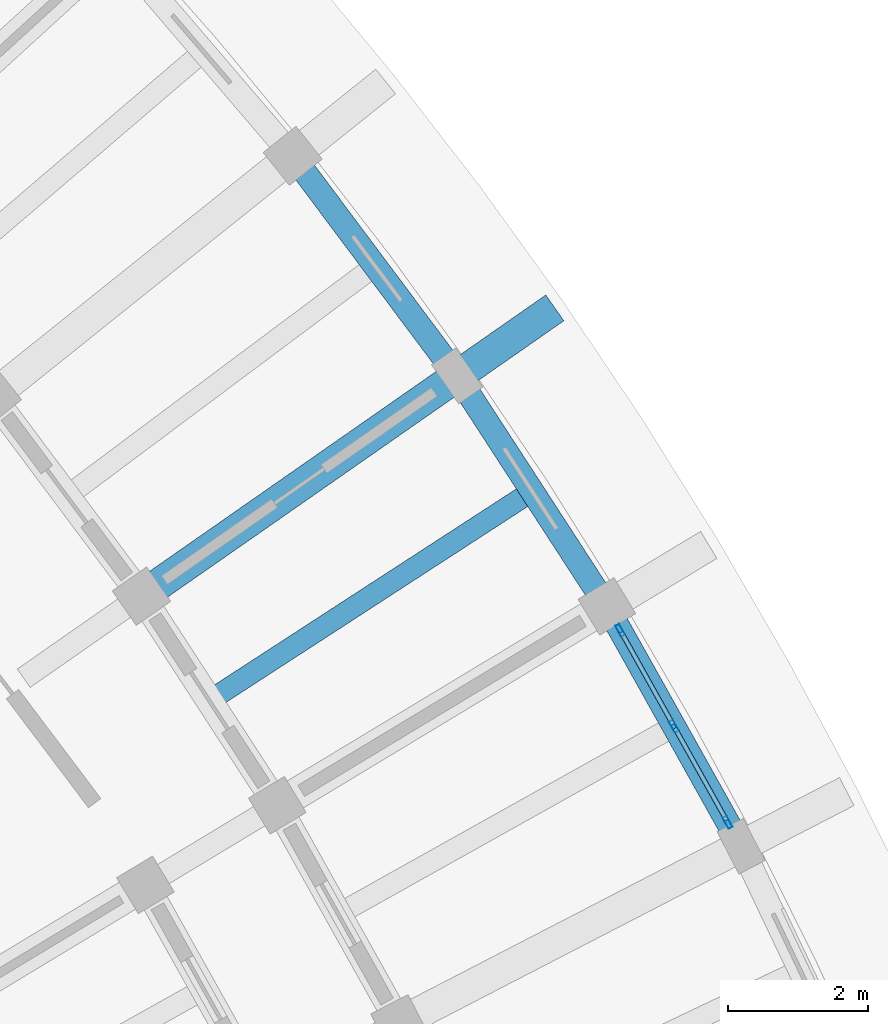
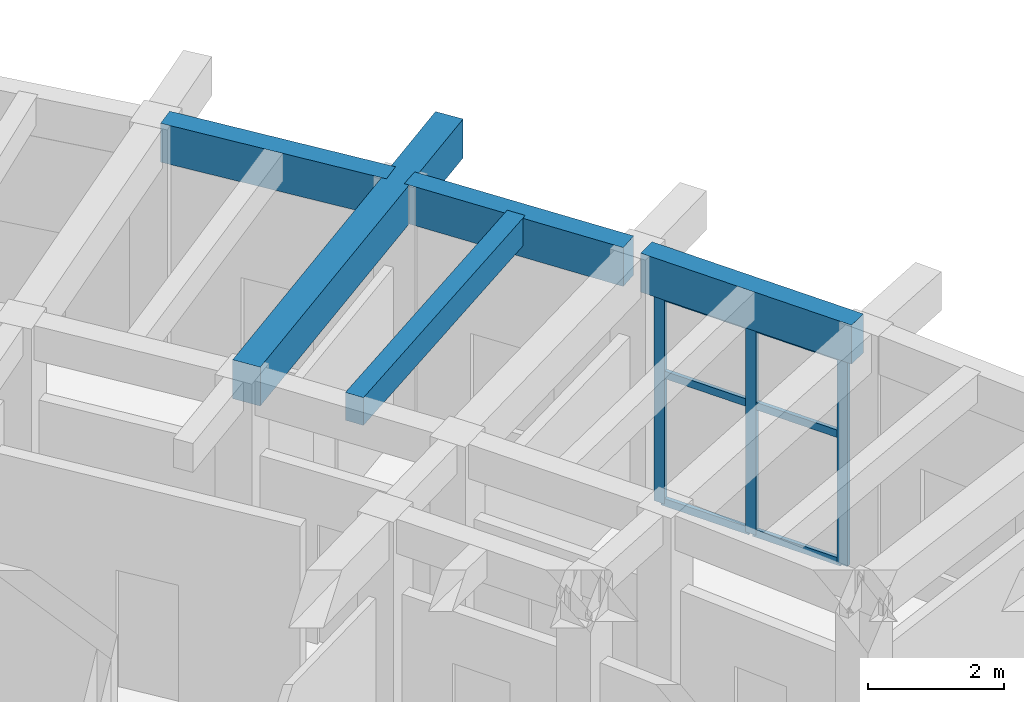
# One storey, part 65 of 132: 9 members, 5 beams, 1 element without a shape of its own.
"""IFC4 building model written with IfcOpenShell, lengths in metres."""

from ifc_helpers import new_model, si_unit, direction, frame, origin, origin_2d, place, context, subcontext, project, spatial, rectangle, hollow_rectangle, extrude, material, material_profile, profile_set, type_object, element, aggregate, save


model = new_model("IFC4")

# Units and contexts
model_context = context("Model", 3, precision=1e-05, world=origin(), true_north=direction((0.0, 1.0)))
body_context = subcontext(model_context, "Body", "Model", "MODEL_VIEW")
ifc_project = project(units=[si_unit("LENGTHUNIT", "METRE"), si_unit("AREAUNIT", "SQUARE_METRE"), si_unit("VOLUMEUNIT", "CUBIC_METRE"), si_unit("PLANEANGLEUNIT", "RADIAN"), si_unit("MASSUNIT", "GRAM", prefix="KILO")], contexts=[model_context])

# Site, building, storey
site_placement = place(None, origin())
site = spatial("IfcSite", under=ifc_project, at=site_placement, CompositionType="ELEMENT")
building_placement = place(site_placement, origin())
building = spatial("IfcBuilding", under=site, at=building_placement, Name="Tanwirah Colonnade Gardens", CompositionType="ELEMENT")
storey_placement = place(building_placement, origin())
storey = spatial("IfcBuildingStorey", under=building, at=storey_placement, Name="L00", CompositionType="ELEMENT", Elevation=0.0)

# Beam
ifc_material_1 = material(Name="Precast concrete C45/55", Category="concrete")
ifc_material_profile_1 = material_profile(ifc_material_1, rectangle(XDim=0.449951171875, YDim=0.699951171875, at=origin_2d()), Name="PC-BM 450x700")
ifc_profile_set_1 = profile_set([ifc_material_profile_1], Name="Precast concrete C45/55")
beam_type_1 = type_object("IfcBeamType", Name="BM-PC450", PredefinedType="BEAM", material=ifc_profile_set_1)
beam_1_placement = place(storey_placement, frame((165.458251953125, 91.20166015625, 4.135009765625), z_axis=(0.820270158139, 0.571976282433, 0.0), x_axis=(-0.571976282433, 0.820270158139, 0.0)))
element("IfcBeam", 1, at=beam_1_placement, inside=storey, type_object=beam_type_1, Name="Block B L00 Outer Radial Precast Girder 5", PredefinedType="BEAM", context=body_context, shape_type="SweptSolid", body=[
    extrude(rectangle(XDim=0.449951171875, YDim=0.699951171875, at=origin_2d()), origin(), (0.0, 0.0, 1.0), 7.050048828125),
])

# Curtain wall, members
ifc_material_2 = material(Name="Bronze-anodised aluminium and solar-control low-E glass", Category="aluminium")
curtain_wall_type = type_object("IfcCurtainWallType", Name="CW-LOB", PredefinedType="NOTDEFINED", material=ifc_material_2)
curtain_wall_placement = place(storey_placement, origin())
curtain_wall = element("IfcCurtainWall", 2, at=curtain_wall_placement, inside=storey, type_object=curtain_wall_type, Name="Curtain Wall CW-B-L00-OUT-03", PredefinedType="NOTDEFINED")
ifc_material_3 = material(Name="Bronze-anodised aluminium", Category="aluminium")
ifc_material_profile_2 = material_profile(ifc_material_3, hollow_rectangle(XDim=0.06494140625, YDim=0.179931640625, WallThickness=0.00390625, at=origin_2d()), Name="CW-MUL 65x180x4")
ifc_profile_set_2 = profile_set([ifc_material_profile_2], Name="Bronze-anodised aluminium")
member_type_1 = type_object("IfcMemberType", Name="CWM-65x180", PredefinedType="MULLION", material=ifc_profile_set_2)
member_1_placement = place(storey_placement, frame((173.709716796875, 87.885986328125, 0.0), z_axis=(0.0, 0.0, 1.0), x_axis=(-0.8727316783, -0.488200181987, 0.0)))
member_1 = element("IfcMember", 3, at=member_1_placement, type_object=member_type_1, Name="CW-LOB mullion 1", PredefinedType="MULLION", context=body_context, shape_type="SweptSolid", body=[
    extrude(hollow_rectangle(XDim=0.06494140625, YDim=0.179931640625, WallThickness=0.00390625, at=origin_2d()), origin(), (0.0, 0.0, 1.0), 3.7548828125),
])
member_2_placement = place(storey_placement, frame((172.943115234375, 89.25634765625, 0.0), z_axis=(0.0, 0.0, 1.0), x_axis=(-0.8727316783, -0.488200181987, 0.0)))
member_2 = element("IfcMember", 4, at=member_2_placement, type_object=member_type_1, Name="CW-LOB mullion 2", PredefinedType="MULLION", context=body_context, shape_type="SweptSolid", body=[
    extrude(hollow_rectangle(XDim=0.06494140625, YDim=0.179931640625, WallThickness=0.00390625, at=origin_2d()), origin(), (0.0, 0.0, 1.0), 3.7548828125),
])
member_3_placement = place(storey_placement, frame((172.17626953125, 90.626953125, 0.0), z_axis=(0.0, 0.0, 1.0), x_axis=(-0.8727316783, -0.488200181987, 0.0)))
member_3 = element("IfcMember", 5, at=member_3_placement, type_object=member_type_1, Name="CW-LOB mullion 3", PredefinedType="MULLION", context=body_context, shape_type="SweptSolid", body=[
    extrude(hollow_rectangle(XDim=0.06494140625, YDim=0.179931640625, WallThickness=0.00390625, at=origin_2d()), origin(), (0.0, 0.0, 1.0), 3.7548828125),
])
ifc_material_profile_3 = material_profile(ifc_material_3, hollow_rectangle(XDim=0.06494140625, YDim=0.135009765625, WallThickness=0.00390625, at=origin_2d()), Name="CW-TRN 65x135x4")
ifc_profile_set_3 = profile_set([ifc_material_profile_3], Name="Bronze-anodised aluminium")
member_type_2 = type_object("IfcMemberType", Name="CWT-65x135", PredefinedType="USERDEFINED", material=ifc_profile_set_3)
member_4_placement = place(storey_placement, frame((173.69384765625, 87.914306640625, 0.032470703125), z_axis=(-0.488188457917, 0.872738236562, 0.0), x_axis=(-0.872738236562, -0.488188457917, 0.0)))
member_4 = element("IfcMember", 6, at=member_4_placement, type_object=member_type_2, Name="CW-LOB transom 1.1", ObjectType="TRANSOM", PredefinedType="USERDEFINED", context=body_context, shape_type="SweptSolid", body=[
    extrude(hollow_rectangle(XDim=0.06494140625, YDim=0.135009765625, WallThickness=0.00390625, at=origin_2d()), origin(), (0.0, 0.0, 1.0), 1.50537109375),
])
member_5_placement = place(storey_placement, frame((173.69384765625, 87.914306640625, 2.328125), z_axis=(-0.488188457917, 0.872738236562, 0.0), x_axis=(-0.872738236562, -0.488188457917, 0.0)))
member_5 = element("IfcMember", 7, at=member_5_placement, type_object=member_type_2, Name="CW-LOB transom 1.2", ObjectType="TRANSOM", PredefinedType="USERDEFINED", context=body_context, shape_type="SweptSolid", body=[
    extrude(hollow_rectangle(XDim=0.06494140625, YDim=0.135009765625, WallThickness=0.00390625, at=origin_2d()), origin(), (0.0, 0.0, 1.0), 1.50537109375),
])
member_6_placement = place(storey_placement, frame((173.69384765625, 87.914306640625, 3.722412109375), z_axis=(-0.488188457917, 0.872738236562, 0.0), x_axis=(-0.872738236562, -0.488188457917, 0.0)))
member_6 = element("IfcMember", 8, at=member_6_placement, type_object=member_type_2, Name="CW-LOB transom 1.3", ObjectType="TRANSOM", PredefinedType="USERDEFINED", context=body_context, shape_type="SweptSolid", body=[
    extrude(hollow_rectangle(XDim=0.06494140625, YDim=0.135009765625, WallThickness=0.00390625, at=origin_2d()), origin(), (0.0, 0.0, 1.0), 1.50537109375),
])
member_7_placement = place(storey_placement, frame((172.92724609375, 89.28466796875, 0.032470703125), z_axis=(-0.488242877368, 0.872707793422, 0.0), x_axis=(-0.872707793422, -0.488242877368, 0.0)))
member_7 = element("IfcMember", 9, at=member_7_placement, type_object=member_type_2, Name="CW-LOB transom 2.1", ObjectType="TRANSOM", PredefinedType="USERDEFINED", context=body_context, shape_type="SweptSolid", body=[
    extrude(hollow_rectangle(XDim=0.06494140625, YDim=0.135009765625, WallThickness=0.00390625, at=origin_2d()), origin(), (0.0, 0.0, 1.0), 1.505615234375),
])
member_8_placement = place(storey_placement, frame((172.92724609375, 89.28466796875, 2.328125), z_axis=(-0.488242877368, 0.872707793422, 0.0), x_axis=(-0.872707793422, -0.488242877368, 0.0)))
member_8 = element("IfcMember", 10, at=member_8_placement, type_object=member_type_2, Name="CW-LOB transom 2.2", ObjectType="TRANSOM", PredefinedType="USERDEFINED", context=body_context, shape_type="SweptSolid", body=[
    extrude(hollow_rectangle(XDim=0.06494140625, YDim=0.135009765625, WallThickness=0.00390625, at=origin_2d()), origin(), (0.0, 0.0, 1.0), 1.505615234375),
])
member_9_placement = place(storey_placement, frame((172.92724609375, 89.28466796875, 3.722412109375), z_axis=(-0.488242877368, 0.872707793422, 0.0), x_axis=(-0.872707793422, -0.488242877368, 0.0)))
member_9 = element("IfcMember", 11, at=member_9_placement, type_object=member_type_2, Name="CW-LOB transom 2.3", ObjectType="TRANSOM", PredefinedType="USERDEFINED", context=body_context, shape_type="SweptSolid", body=[
    extrude(hollow_rectangle(XDim=0.06494140625, YDim=0.135009765625, WallThickness=0.00390625, at=origin_2d()), origin(), (0.0, 0.0, 1.0), 1.505615234375),
])
aggregate(curtain_wall, [member_1, member_2, member_3, member_4, member_5, member_6, member_7, member_8, member_9])

# Beams
ifc_material_4 = material(Name="Precast concrete C40/50", Category="concrete")
ifc_material_profile_4 = material_profile(ifc_material_4, rectangle(XDim=0.300048828125, YDim=0.5, at=origin_2d()), Name="PC-JST 300x500")
ifc_profile_set_4 = profile_set([ifc_material_profile_4], Name="Precast concrete C40/50")
beam_type_2 = type_object("IfcBeamType", Name="JST-PC300", PredefinedType="JOIST", material=ifc_profile_set_4)
beam_2_placement = place(storey_placement, frame((166.4306640625, 89.703125, 4.235107421875), z_axis=(0.83868742622, 0.544613074669, 0.0), x_axis=(-0.544613074669, 0.83868742622, 0.0)))
element("IfcBeam", 12, at=beam_2_placement, inside=storey, type_object=beam_type_2, Name="Block B L00 Precast Floor Joist 4", PredefinedType="JOIST", context=body_context, shape_type="SweptSolid", body=[
    extrude(rectangle(XDim=0.300048828125, YDim=0.5, at=origin_2d()), origin(), (0.0, 0.0, 1.0), 5.26025390625),
])
ifc_material_profile_5 = material_profile(ifc_material_1, rectangle(XDim=0.340087890625, YDim=0.699951171875, at=origin_2d()), Name="PC-SP 340x700")
ifc_profile_set_5 = profile_set([ifc_material_profile_5], Name="Precast concrete C45/55")
beam_type_3 = type_object("IfcBeamType", Name="SP-PC340", PredefinedType="SPANDREL", material=ifc_profile_set_5)
for number, where, z_axis, x_axis, name in (
    (13, (173.828125, 87.67431640625, 4.135009765625), (-0.488236312193, 0.872711466326, 0.0), (-0.872711466326, -0.488236312193, 0.0), "Block B L00 Circumferential Beam 3-R3"),
    (14, (171.903076171875, 91.09521484375, 4.135009765625), (-0.544621436184, 0.838681996497, 0.0), (-0.838681996497, -0.544621436184, 0.0), "Block B L00 Circumferential Beam 4-R3"),
    (15, (169.7568359375, 94.382080078125, 4.135009765625), (-0.598695554058, 0.800976674786, 0.0), (-0.800976674786, -0.598695554058, 0.0), "Block B L00 Circumferential Beam 5-R3"),
):
    element("IfcBeam", number, at=place(storey_placement, frame(where, z_axis=z_axis, x_axis=x_axis)), inside=storey, type_object=beam_type_3, Name=name, PredefinedType="SPANDREL", context=body_context, shape_type="SweptSolid", body=[
        extrude(rectangle(XDim=0.340087890625, YDim=0.699951171875, at=origin_2d()), origin(), (0.0, 0.0, 1.0), 3.625732421875),
    ])

save(model, "model.ifc")
